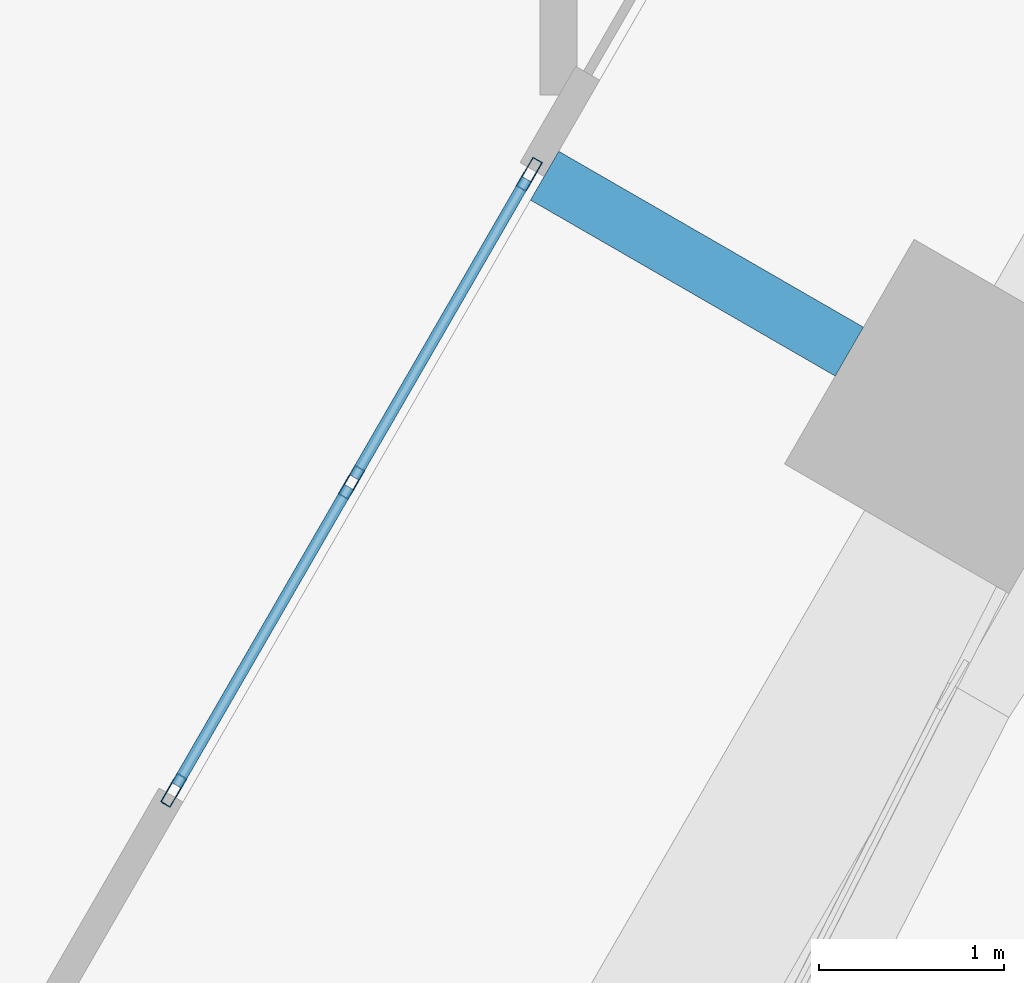
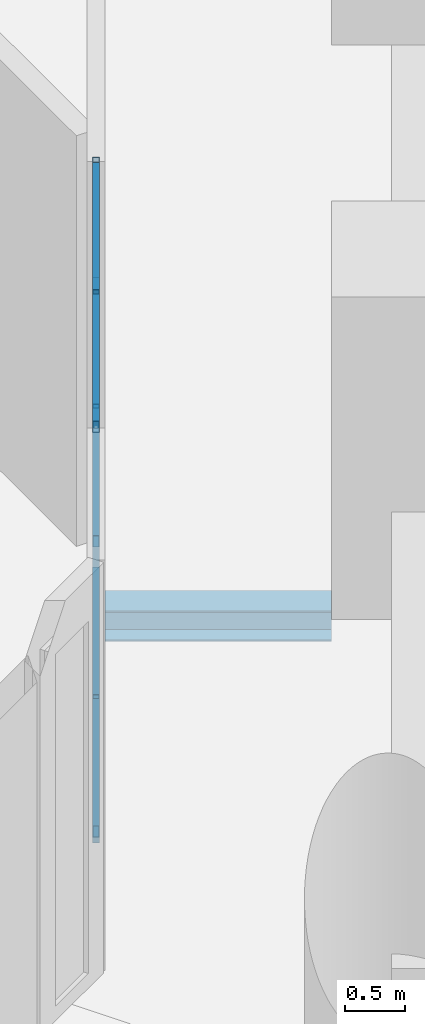
# One storey, part 30 of 71: 9 members, 1 beam, 1 element without a shape of its own.
"""IFC4 building model written with IfcOpenShell, lengths in metres."""

from ifc_helpers import new_model, si_unit, direction, frame, origin, origin_2d, place, context, subcontext, project, spatial, hollow_rectangle, i_section, extrude, material, material_profile, profile_set, type_object, element, aggregate, save


model = new_model("IFC4")

# Units and contexts
model_context = context("Model", 3, precision=1e-05, world=origin(), true_north=direction((0.0, 1.0)))
body_context = subcontext(model_context, "Body", "Model", "MODEL_VIEW")
ifc_project = project(units=[si_unit("LENGTHUNIT", "METRE"), si_unit("AREAUNIT", "SQUARE_METRE"), si_unit("VOLUMEUNIT", "CUBIC_METRE"), si_unit("PLANEANGLEUNIT", "RADIAN"), si_unit("MASSUNIT", "GRAM", prefix="KILO")], contexts=[model_context])

# Site, building, storey
site_placement = place(None, origin())
site = spatial("IfcSite", under=ifc_project, at=site_placement, CompositionType="ELEMENT")
building_placement = place(site_placement, origin())
building = spatial("IfcBuilding", under=site, at=building_placement, Name="Ostrander Bayou Hotel Tower", CompositionType="ELEMENT")
storey_placement = place(building_placement, frame((0.0, 0.0, 10.0)))
storey = spatial("IfcBuildingStorey", under=building, at=storey_placement, Name="L02", CompositionType="ELEMENT", Elevation=10.0)

# Curtain wall, members
ifc_material_1 = material(Name="Aluminium and clear glass", Category="aluminium")
curtain_wall_type = type_object("IfcCurtainWallType", Name="CW-SKY amenity glass wall", PredefinedType="NOTDEFINED", material=ifc_material_1)
curtain_wall_placement = place(storey_placement, origin())
curtain_wall = element("IfcCurtainWall", 1, at=curtain_wall_placement, inside=storey, type_object=curtain_wall_type, Name="CW-SKY L02 SE 1", PredefinedType="NOTDEFINED")
ifc_material_2 = material(Name="Aluminium", Category="aluminium")
ifc_material_profile_1 = material_profile(ifc_material_2, hollow_rectangle(XDim=0.06005859375, YDim=0.179931640625, WallThickness=0.00390625, at=origin_2d()))
ifc_profile_set_1 = profile_set([ifc_material_profile_1], Name="Aluminium")
member_type_1 = type_object("IfcMemberType", Name="CW-SK mullion 60 x 180 mm", PredefinedType="MULLION", material=ifc_profile_set_1)
member_1_placement = place(storey_placement, frame((11.92138671875, -16.201416015625, 0.0), z_axis=(0.0, 0.0, 1.0), x_axis=(-0.866025463091, 0.499999897278, 0.0)))
member_1 = element("IfcMember", 2, at=member_1_placement, type_object=member_type_1, Name="CW-SKY mullion 1", PredefinedType="MULLION", context=body_context, shape_type="SweptSolid", body=[
    extrude(hollow_rectangle(XDim=0.06005859375, YDim=0.179931640625, WallThickness=0.00390625, at=origin_2d()), origin(), (0.0, 0.0, 1.0), 4.199951171875),
])
member_2_placement = place(storey_placement, frame((12.881591796875, -14.53857421875, 0.0), z_axis=(0.0, 0.0, 1.0), x_axis=(-0.866025463091, 0.499999897278, 0.0)))
member_2 = element("IfcMember", 3, at=member_2_placement, type_object=member_type_1, Name="CW-SKY mullion 2", PredefinedType="MULLION", context=body_context, shape_type="SweptSolid", body=[
    extrude(hollow_rectangle(XDim=0.06005859375, YDim=0.179931640625, WallThickness=0.00390625, at=origin_2d()), origin(), (0.0, 0.0, 1.0), 4.199951171875),
])
member_3_placement = place(storey_placement, frame((13.841552734375, -12.875732421875, 0.0), z_axis=(0.0, 0.0, 1.0), x_axis=(-0.866025463091, 0.499999897278, 0.0)))
member_3 = element("IfcMember", 4, at=member_3_placement, type_object=member_type_1, Name="CW-SKY mullion 3", PredefinedType="MULLION", context=body_context, shape_type="SweptSolid", body=[
    extrude(hollow_rectangle(XDim=0.06005859375, YDim=0.179931640625, WallThickness=0.00390625, at=origin_2d()), origin(), (0.0, 0.0, 1.0), 4.199951171875),
])
ifc_material_3 = material(Name="Aluminium", Category="aluminium")
ifc_material_profile_2 = material_profile(ifc_material_3, hollow_rectangle(XDim=0.06005859375, YDim=0.1201171875, WallThickness=0.00390625, at=origin_2d()))
ifc_profile_set_2 = profile_set([ifc_material_profile_2], Name="Aluminium")
member_type_2 = type_object("IfcMemberType", Name="CW-SK transom 60 x 120 mm", PredefinedType="USERDEFINED", material=ifc_profile_set_2)
member_4_placement = place(storey_placement, frame((11.9365234375, -16.17529296875, 0.030029296875), z_axis=(0.499964847546, 0.866045698112, 0.0), x_axis=(-0.866045698112, 0.499964847546, 0.0)))
member_4 = element("IfcMember", 5, at=member_4_placement, type_object=member_type_2, Name="CW-SKY transom 1.1", ObjectType="TRANSOM", PredefinedType="USERDEFINED", context=body_context, shape_type="SweptSolid", body=[
    extrude(hollow_rectangle(XDim=0.06005859375, YDim=0.1201171875, WallThickness=0.00390625, at=origin_2d()), origin(), (0.0, 0.0, 1.0), 1.860107421875),
])
member_5_placement = place(storey_placement, frame((11.9365234375, -16.17529296875, 3.0), z_axis=(0.499964847546, 0.866045698112, 0.0), x_axis=(-0.866045698112, 0.499964847546, 0.0)))
member_5 = element("IfcMember", 6, at=member_5_placement, type_object=member_type_2, Name="CW-SKY transom 1.2", ObjectType="TRANSOM", PredefinedType="USERDEFINED", context=body_context, shape_type="SweptSolid", body=[
    extrude(hollow_rectangle(XDim=0.06005859375, YDim=0.1201171875, WallThickness=0.00390625, at=origin_2d()), origin(), (0.0, 0.0, 1.0), 1.860107421875),
])
member_6_placement = place(storey_placement, frame((11.9365234375, -16.17529296875, 4.169921875), z_axis=(0.499964847546, 0.866045698112, 0.0), x_axis=(-0.866045698112, 0.499964847546, 0.0)))
member_6 = element("IfcMember", 7, at=member_6_placement, type_object=member_type_2, Name="CW-SKY transom 1.3", ObjectType="TRANSOM", PredefinedType="USERDEFINED", context=body_context, shape_type="SweptSolid", body=[
    extrude(hollow_rectangle(XDim=0.06005859375, YDim=0.1201171875, WallThickness=0.00390625, at=origin_2d()), origin(), (0.0, 0.0, 1.0), 1.860107421875),
])
member_7_placement = place(storey_placement, frame((12.896484375, -14.512451171875, 0.030029296875), z_axis=(0.500021687003, 0.866012882425, 0.0), x_axis=(-0.866012882425, 0.500021687003, 0.0)))
member_7 = element("IfcMember", 8, at=member_7_placement, type_object=member_type_2, Name="CW-SKY transom 2.1", ObjectType="TRANSOM", PredefinedType="USERDEFINED", context=body_context, shape_type="SweptSolid", body=[
    extrude(hollow_rectangle(XDim=0.06005859375, YDim=0.1201171875, WallThickness=0.00390625, at=origin_2d()), origin(), (0.0, 0.0, 1.0), 1.85986328125),
])
member_8_placement = place(storey_placement, frame((12.896484375, -14.512451171875, 3.0), z_axis=(0.500021687003, 0.866012882425, 0.0), x_axis=(-0.866012882425, 0.500021687003, 0.0)))
member_8 = element("IfcMember", 9, at=member_8_placement, type_object=member_type_2, Name="CW-SKY transom 2.2", ObjectType="TRANSOM", PredefinedType="USERDEFINED", context=body_context, shape_type="SweptSolid", body=[
    extrude(hollow_rectangle(XDim=0.06005859375, YDim=0.1201171875, WallThickness=0.00390625, at=origin_2d()), origin(), (0.0, 0.0, 1.0), 1.85986328125),
])
member_9_placement = place(storey_placement, frame((12.896484375, -14.512451171875, 4.169921875), z_axis=(0.500021687003, 0.866012882425, 0.0), x_axis=(-0.866012882425, 0.500021687003, 0.0)))
member_9 = element("IfcMember", 10, at=member_9_placement, type_object=member_type_2, Name="CW-SKY transom 2.3", ObjectType="TRANSOM", PredefinedType="USERDEFINED", context=body_context, shape_type="SweptSolid", body=[
    extrude(hollow_rectangle(XDim=0.06005859375, YDim=0.1201171875, WallThickness=0.00390625, at=origin_2d()), origin(), (0.0, 0.0, 1.0), 1.85986328125),
])
aggregate(curtain_wall, [member_1, member_2, member_3, member_4, member_5, member_6, member_7, member_8, member_9])

# Beam
ifc_material_4 = material(Name="Steel ASTM A992", Category="steel")
ifc_material_profile_3 = material_profile(ifc_material_4, i_section(OverallWidth=0.3046875, OverallDepth=0.307861328125, WebThickness=0.010009765625, FlangeThickness=0.015380859375, at=origin_2d()))
ifc_profile_set_3 = profile_set([ifc_material_profile_3], Name="Steel ASTM A992")
beam_type = type_object("IfcBeamType", Name="LB1 loggia bracket W12x65", PredefinedType="BEAM", material=ifc_profile_set_3)
beam_placement = place(storey_placement, frame((15.569091796875, -13.833251953125, -0.453857421875), z_axis=(-0.86601224135, 0.500022797313, 0.0), x_axis=(-0.500022797313, -0.86601224135, 0.0)))
element("IfcBeam", 11, at=beam_placement, inside=storey, type_object=beam_type, Name="LB1 L02 SE1", PredefinedType="BEAM", context=body_context, shape_type="SweptSolid", body=[
    extrude(i_section(OverallWidth=0.3046875, OverallDepth=0.307861328125, WebThickness=0.010009765625, FlangeThickness=0.015380859375, at=origin_2d()), origin(), (0.0, 0.0, 1.0), 1.89990234375),
])

save(model, "model.ifc")
